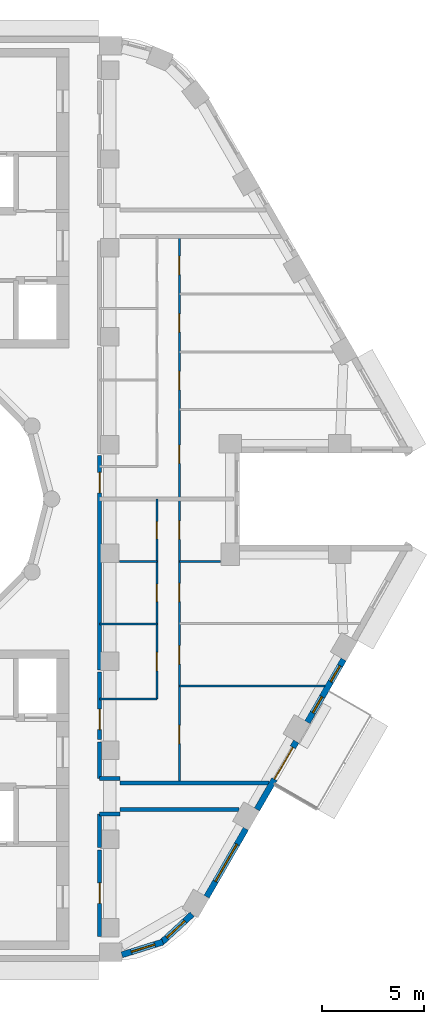
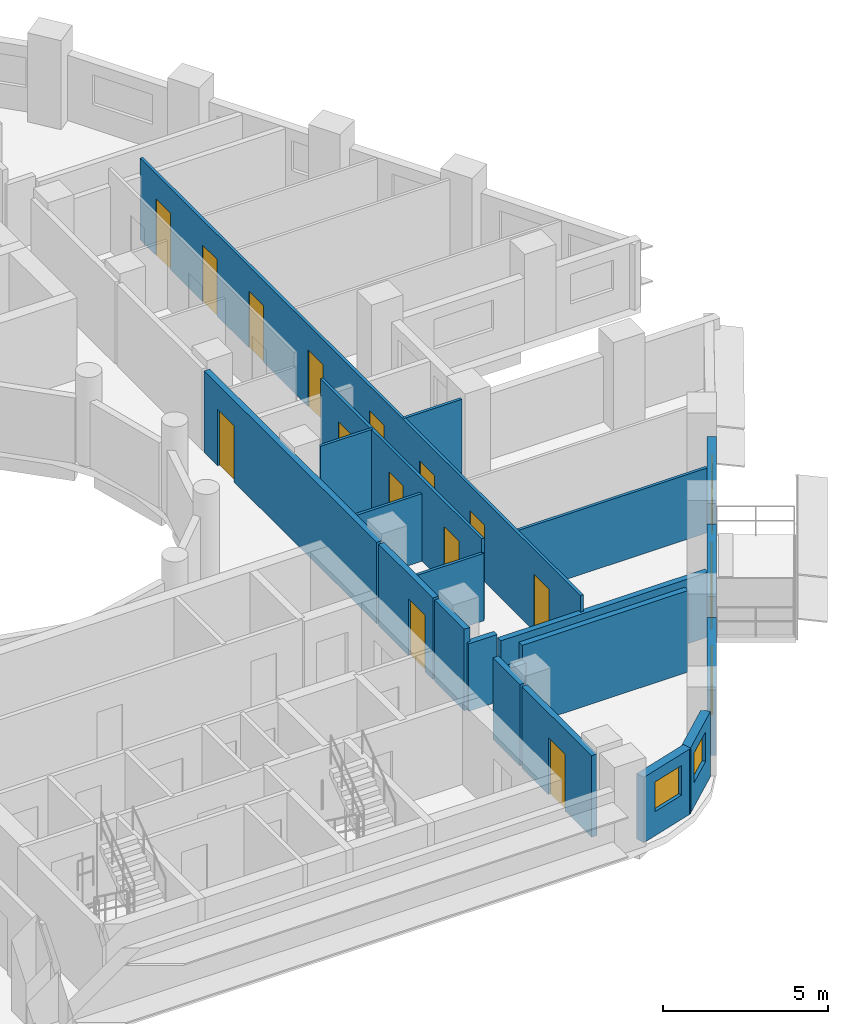
# One storey, part 5 of 12: 21 walls, 15 doors, 5 windows, 20 openings.
"""IFC4 building model written with IfcOpenShell, lengths in metres."""

from ifc_helpers import new_model, si_unit, direction, frame, frame_2d, origin, place, context, subcontext, project, spatial, rectangle, extrude, material, layer, layer_set, type_object, element, fill, save


model = new_model("IFC4")

# Units and contexts
model_context = context("Model", 3, precision=1e-05, world=origin(), true_north=direction((0.0, 1.0)))
body_context = subcontext(model_context, "Body", "Model", "MODEL_VIEW")
ifc_project = project(units=[si_unit("LENGTHUNIT", "METRE"), si_unit("AREAUNIT", "SQUARE_METRE"), si_unit("VOLUMEUNIT", "CUBIC_METRE"), si_unit("PLANEANGLEUNIT", "RADIAN"), si_unit("MASSUNIT", "GRAM", prefix="KILO")], contexts=[model_context])

# Site, building, storey
site_placement = place(None, origin())
site = spatial("IfcSite", under=ifc_project, at=site_placement, CompositionType="ELEMENT")
building_placement = place(site_placement, origin())
building = spatial("IfcBuilding", under=site, at=building_placement, Name="Nakaniwa Court", CompositionType="ELEMENT")
storey_placement = place(building_placement, frame((0.0, 0.0, 229.5)))
storey = spatial("IfcBuildingStorey", under=building, at=storey_placement, Name="L59", CompositionType="ELEMENT", Elevation=229.5)

# Wall, opening, door
ifc_material_1 = material(Name="Acoustic double stud partition")
ifc_layer_1 = layer(ifc_material_1, 0.199951171875)
ifc_layer_set_1 = layer_set([ifc_layer_1], Name="Acoustic double stud partition")
wall_type_1 = type_object("IfcWallType", Name="Acoustic double stud partition 200", PredefinedType="PARTITIONING", material=ifc_layer_set_1)
wall_1_placement = place(storey_placement, frame((89.5, 62.822998046875, 0.0), z_axis=(0.0, 0.0, 1.0), x_axis=(0.0, -1.0, 0.0)))
wall_1 = element("IfcWall", 1, at=wall_1_placement, inside=storey, type_object=wall_type_1, Name="Partition PW-057", PredefinedType="PARTITIONING", context=body_context, shape_type="SweptSolid", body=[
    extrude(rectangle(XDim=4.236083984375, YDim=0.199951171875, at=frame_2d((2.1181640625, 0.0))), origin(), (0.0, 0.0, 1.0), 3.02490234375),
])
opening_1_placement = place(wall_1_placement, frame((1.617919921875, 0.0, 0.0)))
opening_1 = element("IfcOpeningElement", 2, at=opening_1_placement, cuts=wall_1, Name="Opening D-02-01", PredefinedType="OPENING", context=body_context, shape_type="SweptSolid", body=[
    extrude(rectangle(XDim=1.0, YDim=2.10009765625, at=frame_2d((0.5, 1.050048828125))), frame((0.0, 0.10986328125, 0.0), z_axis=(0.0, -1.0, 0.0), x_axis=(1.0, 0.0, 0.0)), (0.0, 0.0, 1.0), 0.219970703125),
])
ifc_material_2 = material(Name="Solid core timber door set, black veneer", Category="wood")
door_type_1 = type_object("IfcDoorType", Name="Internal door 1000", OperationType="NOTDEFINED", PredefinedType="DOOR", material=ifc_material_2)
door_1_placement = place(opening_1_placement, origin())
door_1 = element("IfcDoor", 3, at=door_1_placement, inside=storey, type_object=door_type_1, Name="Door D-02-01 L59-029", OperationType="SINGLE_SWING_RIGHT", OverallHeight=2.10009765625, OverallWidth=1.0, PredefinedType="DOOR", context=body_context, shape_type="SweptSolid", body=[
    extrude(rectangle(XDim=1.0, YDim=2.10009765625, at=frame_2d((0.5, 1.050048828125))), frame((0.0, 0.02490234375, 0.0), z_axis=(0.0, -1.0, 0.0), x_axis=(1.0, 0.0, 0.0)), (0.0, 0.0, 1.0), 0.050048828125),
])
fill(opening_1, door_1)

# Walls
wall_2_placement = place(storey_placement, frame((89.5, 62.93701171875, 0.0), z_axis=(0.0, 0.0, 1.0), x_axis=(0.0, 1.0, 0.0)))
element("IfcWall", 4, at=wall_2_placement, inside=storey, type_object=wall_type_1, Name="Partition PW-058", PredefinedType="PARTITIONING", context=body_context, shape_type="SweptSolid", body=[
    extrude(rectangle(XDim=1.640869140625, YDim=0.199951171875, at=frame_2d((0.8203125, 0.0))), origin(), (0.0, 0.0, 1.0), 3.02490234375),
])
wall_3_placement = place(storey_placement, frame((89.5, 66.322021484375, 0.0), z_axis=(0.0, 0.0, 1.0), x_axis=(0.0, 1.0, 0.0)))
element("IfcWall", 5, at=wall_3_placement, inside=storey, type_object=wall_type_1, Name="Partition PW-059", PredefinedType="PARTITIONING", context=body_context, shape_type="SweptSolid", body=[
    extrude(rectangle(XDim=1.791015625, YDim=0.199951171875, at=frame_2d((0.8955078125, 0.0))), origin(), (0.0, 0.0, 1.0), 3.02490234375),
])

# Wall, opening, door
wall_4_placement = place(storey_placement, frame((89.5, 71.52294921875, 0.0), z_axis=(0.0, 0.0, 1.0), x_axis=(0.0, -1.0, 0.0)))
wall_4 = element("IfcWall", 6, at=wall_4_placement, inside=storey, type_object=wall_type_1, Name="Partition PW-060", PredefinedType="PARTITIONING", context=body_context, shape_type="SweptSolid", body=[
    extrude(rectangle(XDim=3.2958984375, YDim=0.199951171875, at=frame_2d((1.64794921875, 0.0))), origin(), (0.0, 0.0, 1.0), 3.02490234375),
])
opening_2_placement = place(wall_4_placement, frame((1.80810546875, 0.0, 0.0)))
opening_2 = element("IfcOpeningElement", 7, at=opening_2_placement, cuts=wall_4, Name="Opening D-01-01", PredefinedType="OPENING", context=body_context, shape_type="SweptSolid", body=[
    extrude(rectangle(XDim=1.0, YDim=2.10009765625, at=frame_2d((0.5, 1.050048828125))), frame((0.0, 0.10986328125, 0.0), z_axis=(0.0, -1.0, 0.0), x_axis=(1.0, 0.0, 0.0)), (0.0, 0.0, 1.0), 0.219970703125),
])
door_type_2 = type_object("IfcDoorType", Name="Flat entrance door 1000", OperationType="NOTDEFINED", PredefinedType="DOOR", material=ifc_material_2)
door_2_placement = place(opening_2_placement, origin())
door_2 = element("IfcDoor", 8, at=door_2_placement, inside=storey, type_object=door_type_2, Name="Door D-01-01 L59-030", OperationType="SINGLE_SWING_LEFT", OverallHeight=2.10009765625, OverallWidth=1.0, PredefinedType="DOOR", context=body_context, shape_type="SweptSolid", body=[
    extrude(rectangle(XDim=1.0, YDim=2.10009765625, at=frame_2d((0.5, 1.050048828125))), frame((0.0, 0.02490234375, 0.0), z_axis=(0.0, -1.0, 0.0), x_axis=(1.0, 0.0, 0.0)), (0.0, 0.0, 1.0), 0.050048828125),
])
fill(opening_2, door_2)

wall_5_placement = place(storey_placement, frame((89.5, 82.123046875, 0.0), z_axis=(0.0, 0.0, 1.0), x_axis=(0.0, -1.0, 0.0)))
wall_5 = element("IfcWall", 9, at=wall_5_placement, inside=storey, type_object=wall_type_1, Name="Partition PW-061", PredefinedType="PARTITIONING", context=body_context, shape_type="SweptSolid", body=[
    extrude(rectangle(XDim=10.486083984375, YDim=0.199951171875, at=frame_2d((5.2431640625, 0.0))), origin(), (0.0, 0.0, 1.0), 3.02490234375),
])
opening_3_placement = place(wall_5_placement, frame((0.822998046875, 0.0, 0.0)))
opening_3 = element("IfcOpeningElement", 10, at=opening_3_placement, cuts=wall_5, Name="Opening D-01-02", PredefinedType="OPENING", context=body_context, shape_type="SweptSolid", body=[
    extrude(rectangle(XDim=1.0, YDim=2.10009765625, at=frame_2d((0.5, 1.050048828125))), frame((0.0, 0.10986328125, 0.0), z_axis=(0.0, -1.0, 0.0), x_axis=(1.0, 0.0, 0.0)), (0.0, 0.0, 1.0), 0.219970703125),
])
door_3_placement = place(opening_3_placement, origin())
door_3 = element("IfcDoor", 11, at=door_3_placement, inside=storey, type_object=door_type_2, Name="Door D-01-02 L59-038", OperationType="SINGLE_SWING_LEFT", OverallHeight=2.10009765625, OverallWidth=1.0, PredefinedType="DOOR", context=body_context, shape_type="SweptSolid", body=[
    extrude(rectangle(XDim=1.0, YDim=2.10009765625, at=frame_2d((0.5, 1.050048828125))), frame((0.0, 0.02490234375, 0.0), z_axis=(0.0, -1.0, 0.0), x_axis=(1.0, 0.0, 0.0)), (0.0, 0.0, 1.0), 0.050048828125),
])
fill(opening_3, door_3)

# Walls
wall_6_placement = place(storey_placement, frame((90.5, 64.800048828125, 0.0), z_axis=(0.0, 0.0, 1.0), x_axis=(1.0, 0.0, 0.0)))
element("IfcWall", 12, at=wall_6_placement, inside=storey, type_object=wall_type_1, Name="Partition PW-074", PredefinedType="PARTITIONING", context=body_context, shape_type="SweptSolid", body=[
    extrude(rectangle(XDim=5.81884765625, YDim=0.199951171875, at=frame_2d((2.909423828125, 0.0))), origin(), (0.0, 0.0, 1.0), 3.02490234375),
])
for number, where, z_axis, x_axis, name in (
    (13, (89.5, 64.574951171875, 0.0), (0.0, 0.0, 1.0), (1.0, 0.0, 0.0), "Partition PW-076"),
    (14, (89.5, 66.324951171875, 0.0), (0.0, 0.0, 1.0), (1.0, 0.0, 0.0), "Partition PW-078"),
):
    element("IfcWall", number, at=place(storey_placement, frame(where, z_axis=z_axis, x_axis=x_axis)), inside=storey, type_object=wall_type_1, Name=name, PredefinedType="PARTITIONING", context=body_context, shape_type="SweptSolid", body=[
        extrude(rectangle(XDim=1.0, YDim=0.199951171875, at=frame_2d((0.5, 0.0))), origin(), (0.0, 0.0, 1.0), 2.5048828125),
    ])
wall_7_placement = place(storey_placement, frame((90.5, 66.10009765625, 0.0), z_axis=(0.0, 0.0, 1.0), x_axis=(1.0, 0.0, 0.0)))
element("IfcWall", 15, at=wall_7_placement, inside=storey, type_object=wall_type_1, Name="Partition PW-080", PredefinedType="PARTITIONING", context=body_context, shape_type="SweptSolid", body=[
    extrude(rectangle(XDim=7.282470703125, YDim=0.199951171875, at=frame_2d((3.64111328125, 0.0))), origin(), (0.0, 0.0, 1.0), 2.405029296875),
])

# Wall, opening, window
ifc_material_3 = material(Name="Charcoal ceramic cladding")
ifc_layer_2 = layer(ifc_material_3, 0.02, Name="Ceramic cladding")
ifc_material_4 = material(Name="Ventilated air cavity")
ifc_layer_3 = layer(ifc_material_4, 0.04, ventilated=True, Name="Ventilated cavity")
ifc_material_5 = material(Name="Mineral wool insulation")
ifc_layer_4 = layer(ifc_material_5, 0.1, Name="Insulation")
ifc_material_6 = material(Name="Cement bonded sheathing board")
ifc_layer_5 = layer(ifc_material_6, 0.012, Name="Sheathing")
ifc_material_7 = material(Name="Cold-formed galvanised stud frame with mineral wool infill")
ifc_layer_6 = layer(ifc_material_7, 0.1, Name="Stud frame")
ifc_material_8 = material(Name="Fire-rated gypsum plasterboard lining")
ifc_layer_7 = layer(ifc_material_8, 0.028, Name="Lining")
ifc_layer_set_2 = layer_set([ifc_layer_2, ifc_layer_3, ifc_layer_4, ifc_layer_5, ifc_layer_6, ifc_layer_7], Name="Charcoal ceramic faced external wall system")
wall_type_2 = type_object("IfcWallType", Name="Black ceramic faced external wall 300", PredefinedType="SOLIDWALL", material=ifc_layer_set_2)
wall_8_placement = place(storey_placement, frame((90.585693359375, 57.68408203125, 0.0), z_axis=(0.0, 0.0, 1.0), x_axis=(0.954941641926, 0.296793632875, 0.0)))
wall_8 = element("IfcWall", 16, at=wall_8_placement, inside=storey, type_object=wall_type_2, Name="L59 external wall 27", PredefinedType="SOLIDWALL", context=body_context, shape_type="SweptSolid", body=[
    extrude(rectangle(XDim=2.1025390625, YDim=0.300048828125, at=frame_2d((1.05126953125, 0.0))), origin(), (0.0, 0.0, 1.0), 2.425048828125),
])
opening_4_placement = place(wall_8_placement, frame((0.490234375, 0.0, 0.89990234375)))
opening_4 = element("IfcOpeningElement", 17, at=opening_4_placement, cuts=wall_8, Name="Opening W6.25", PredefinedType="OPENING", context=body_context, shape_type="SweptSolid", body=[
    extrude(rectangle(XDim=1.199951171875, YDim=1.10009765625, at=frame_2d((0.60009765625, 0.550048828125))), frame((0.0, 0.159912109375, 0.0), z_axis=(0.0, -1.0, 0.0), x_axis=(1.0, 0.0, 0.0)), (0.0, 0.0, 1.0), 0.320068359375),
])
ifc_material_9 = material(Name="Black anodised aluminium frame with dark low-E laminated double glazing", Category="aluminium")
window_type_1 = type_object("IfcWindowType", Name="Dark glass window 1200x1100 sill 900", PartitioningType="SINGLE_PANEL", PredefinedType="WINDOW", material=ifc_material_9)
window_1_placement = place(opening_4_placement, origin())
window_1 = element("IfcWindow", 18, at=window_1_placement, inside=storey, type_object=window_type_1, Name="L59 habitable room window 27-0", OverallHeight=1.10009765625, OverallWidth=1.199951171875, PartitioningType="SINGLE_PANEL", PredefinedType="WINDOW", context=body_context, shape_type="SweptSolid", body=[
    extrude(rectangle(XDim=1.199951171875, YDim=1.10009765625, at=frame_2d((0.60009765625, 0.550048828125))), frame((0.0, 0.030029296875, 0.0), z_axis=(0.0, -1.0, 0.0), x_axis=(1.0, 0.0, 0.0)), (0.0, 0.0, 1.0), 0.06005859375),
])
fill(opening_4, window_1)

wall_9_placement = place(storey_placement, frame((92.489501953125, 58.247314453125, 0.0), z_axis=(0.0, 0.0, 1.0), x_axis=(0.734830223907, 0.678251090698, 0.0)))
wall_9 = element("IfcWall", 19, at=wall_9_placement, inside=storey, type_object=wall_type_2, Name="L59 external wall 28", PredefinedType="SOLIDWALL", context=body_context, shape_type="SweptSolid", body=[
    extrude(rectangle(XDim=2.09716796875, YDim=0.300048828125, at=frame_2d((1.048583984375, 0.0))), origin(), (0.0, 0.0, 1.0), 2.425048828125),
])
opening_5_placement = place(wall_9_placement, frame((0.409423828125, 0.0, 0.89990234375)))
opening_5 = element("IfcOpeningElement", 20, at=opening_5_placement, cuts=wall_9, Name="Opening W6.26", PredefinedType="OPENING", context=body_context, shape_type="SweptSolid", body=[
    extrude(rectangle(XDim=1.199951171875, YDim=1.10009765625, at=frame_2d((0.60009765625, 0.550048828125))), frame((0.0, 0.159912109375, 0.0), z_axis=(0.0, -1.0, 0.0), x_axis=(1.0, 0.0, 0.0)), (0.0, 0.0, 1.0), 0.320068359375),
])
window_2_placement = place(opening_5_placement, origin())
window_2 = element("IfcWindow", 21, at=window_2_placement, inside=storey, type_object=window_type_1, Name="L59 habitable room window 28-0", OverallHeight=1.10009765625, OverallWidth=1.199951171875, PartitioningType="SINGLE_PANEL", PredefinedType="WINDOW", context=body_context, shape_type="SweptSolid", body=[
    extrude(rectangle(XDim=1.199951171875, YDim=1.10009765625, at=frame_2d((0.60009765625, 0.550048828125))), frame((0.0, 0.030029296875, 0.0), z_axis=(0.0, -1.0, 0.0), x_axis=(1.0, 0.0, 0.0)), (0.0, 0.0, 1.0), 0.06005859375),
])
fill(opening_5, window_2)

wall_10_placement = place(storey_placement, frame((94.73583984375, 60.523193359375, 0.0), z_axis=(0.0, 0.0, 1.0), x_axis=(0.499984490703, 0.866034357896, 0.0)))
wall_10 = element("IfcWall", 22, at=wall_10_placement, inside=storey, type_object=wall_type_2, Name="L59 external wall 29", PredefinedType="SOLIDWALL", context=body_context, shape_type="SweptSolid", body=[
    extrude(rectangle(XDim=3.84423828125, YDim=0.300048828125, at=frame_2d((1.922119140625, 0.0))), origin(), (0.0, 0.0, 1.0), 2.425048828125),
])
opening_6_placement = place(wall_10_placement, frame((0.8720703125, 0.0, 0.89990234375)))
opening_6 = element("IfcOpeningElement", 23, at=opening_6_placement, cuts=wall_10, Name="Opening W7.27", PredefinedType="OPENING", context=body_context, shape_type="SweptSolid", body=[
    extrude(rectangle(XDim=2.10009765625, YDim=1.10009765625, at=frame_2d((1.050048828125, 0.550048828125))), frame((0.0, 0.159912109375, 0.0), z_axis=(0.0, -1.0, 0.0), x_axis=(1.0, 0.0, 0.0)), (0.0, 0.0, 1.0), 0.320068359375),
])
window_type_2 = type_object("IfcWindowType", Name="Dark glass window 2100x1100 sill 900", PartitioningType="SINGLE_PANEL", PredefinedType="WINDOW", material=ifc_material_9)
window_3_placement = place(opening_6_placement, origin())
window_3 = element("IfcWindow", 24, at=window_3_placement, inside=storey, type_object=window_type_2, Name="L59 habitable room window 29-0", OverallHeight=1.10009765625, OverallWidth=2.10009765625, PartitioningType="SINGLE_PANEL", PredefinedType="WINDOW", context=body_context, shape_type="SweptSolid", body=[
    extrude(rectangle(XDim=2.10009765625, YDim=1.10009765625, at=frame_2d((1.050048828125, 0.550048828125))), frame((0.0, 0.030029296875, 0.0), z_axis=(0.0, -1.0, 0.0), x_axis=(1.0, 0.0, 0.0)), (0.0, 0.0, 1.0), 0.06005859375),
])
fill(opening_6, window_3)

# Wall, opening, door
wall_11_placement = place(storey_placement, frame((97.2041015625, 64.798095703125, 0.0), z_axis=(0.0, 0.0, 1.0), x_axis=(0.499984490703, 0.866034357896, 0.0)))
wall_11 = element("IfcWall", 25, at=wall_11_placement, inside=storey, type_object=wall_type_2, Name="L59 external wall 30", PredefinedType="SOLIDWALL", context=body_context, shape_type="SweptSolid", body=[
    extrude(rectangle(XDim=3.84423828125, YDim=0.300048828125, at=frame_2d((1.922119140625, 0.0))), origin(), (0.0, 0.0, 1.0), 2.425048828125),
])
opening_7_placement = place(wall_11_placement, frame((1.712646484375, 0.0, 0.0)))
opening_7 = element("IfcOpeningElement", 26, at=opening_7_placement, cuts=wall_11, Name="Opening XD12.01", PredefinedType="OPENING", context=body_context, shape_type="SweptSolid", body=[
    extrude(rectangle(XDim=1.800048828125, YDim=2.0, at=frame_2d((0.89990234375, 1.0))), frame((0.0, 0.159912109375, 0.0), z_axis=(0.0, -1.0, 0.0), x_axis=(1.0, 0.0, 0.0)), (0.0, 0.0, 1.0), 0.320068359375),
])
ifc_material_10 = material(Name="Black powder-coated aluminium frame with dark laminated glass", Category="aluminium")
door_type_3 = type_object("IfcDoorType", Name="Balcony sliding door 1800x2000", OperationType="SLIDING_TO_LEFT", PredefinedType="DOOR", material=ifc_material_10)
door_4_placement = place(opening_7_placement, origin())
door_4 = element("IfcDoor", 27, at=door_4_placement, inside=storey, type_object=door_type_3, Name="L59 balcony sliding door 01", OperationType="SLIDING_TO_LEFT", OverallHeight=2.0, OverallWidth=1.800048828125, PredefinedType="DOOR", context=body_context, shape_type="SweptSolid", body=[
    extrude(rectangle(XDim=1.800048828125, YDim=2.0, at=frame_2d((0.89990234375, 1.0))), frame((0.0, 0.02490234375, 0.0), z_axis=(0.0, -1.0, 0.0), x_axis=(1.0, 0.0, 0.0)), (0.0, 0.0, 1.0), 0.050048828125),
])
fill(opening_7, door_4)

# Wall, openings, windows
wall_12_placement = place(storey_placement, frame((99.672119140625, 69.072998046875, 0.0), z_axis=(0.0, 0.0, 1.0), x_axis=(0.500010404316, 0.866019396766, 0.0)))
wall_12 = element("IfcWall", 28, at=wall_12_placement, inside=storey, type_object=wall_type_2, Name="L59 external wall 31", PredefinedType="SOLIDWALL", context=body_context, shape_type="SweptSolid", body=[
    extrude(rectangle(XDim=3.54736328125, YDim=0.300048828125, at=frame_2d((1.773681640625, 0.0))), origin(), (0.0, 0.0, 1.0), 2.425048828125),
])
opening_8_placement = place(wall_12_placement, frame((0.53662109375, 0.0, 0.89990234375)))
opening_8 = element("IfcOpeningElement", 29, at=opening_8_placement, cuts=wall_12, Name="Opening W9.28", PredefinedType="OPENING", context=body_context, shape_type="SweptSolid", body=[
    extrude(rectangle(XDim=0.89990234375, YDim=1.10009765625, at=frame_2d((0.449951171875, 0.550048828125))), frame((0.0, 0.159912109375, 0.0), z_axis=(0.0, -1.0, 0.0), x_axis=(1.0, 0.0, 0.0)), (0.0, 0.0, 1.0), 0.320068359375),
])
opening_9_placement = place(wall_12_placement, frame((2.2861328125, 0.0, 0.89990234375)))
opening_9 = element("IfcOpeningElement", 30, at=opening_9_placement, cuts=wall_12, Name="Opening W9.29", PredefinedType="OPENING", context=body_context, shape_type="SweptSolid", body=[
    extrude(rectangle(XDim=0.89990234375, YDim=1.10009765625, at=frame_2d((0.449951171875, 0.550048828125))), frame((0.0, 0.159912109375, 0.0), z_axis=(0.0, -1.0, 0.0), x_axis=(1.0, 0.0, 0.0)), (0.0, 0.0, 1.0), 0.320068359375),
])
window_type_3 = type_object("IfcWindowType", Name="Dark glass window 900x1100 sill 900", PartitioningType="SINGLE_PANEL", PredefinedType="WINDOW", material=ifc_material_9)
window_4_placement = place(opening_8_placement, origin())
window_4 = element("IfcWindow", 31, at=window_4_placement, inside=storey, type_object=window_type_3, Name="L59 living window 31-0", OverallHeight=1.10009765625, OverallWidth=0.89990234375, PartitioningType="SINGLE_PANEL", PredefinedType="WINDOW", context=body_context, shape_type="SweptSolid", body=[
    extrude(rectangle(XDim=0.89990234375, YDim=1.10009765625, at=frame_2d((0.449951171875, 0.550048828125))), frame((0.0, 0.030029296875, 0.0), z_axis=(0.0, -1.0, 0.0), x_axis=(1.0, 0.0, 0.0)), (0.0, 0.0, 1.0), 0.06005859375),
])
fill(opening_8, window_4)
window_5_placement = place(opening_9_placement, origin())
window_5 = element("IfcWindow", 32, at=window_5_placement, inside=storey, type_object=window_type_3, Name="L59 bedroom window 31-1", OverallHeight=1.10009765625, OverallWidth=0.89990234375, PartitioningType="SINGLE_PANEL", PredefinedType="WINDOW", context=body_context, shape_type="SweptSolid", body=[
    extrude(rectangle(XDim=0.89990234375, YDim=1.10009765625, at=frame_2d((0.449951171875, 0.550048828125))), frame((0.0, 0.030029296875, 0.0), z_axis=(0.0, -1.0, 0.0), x_axis=(1.0, 0.0, 0.0)), (0.0, 0.0, 1.0), 0.06005859375),
])
fill(opening_9, window_5)

# Wall
ifc_material_11 = material(Name="Single stud plasterboard partition")
ifc_layer_8 = layer(ifc_material_11, 0.10009765625)
ifc_layer_set_3 = layer_set([ifc_layer_8], Name="Single stud plasterboard partition")
wall_type_3 = type_object("IfcWallType", Name="Single stud plasterboard partition 100", PredefinedType="PARTITIONING", material=ifc_layer_set_3)
wall_13_placement = place(storey_placement, frame((89.5, 73.875, 0.0), z_axis=(0.0, 0.0, 1.0), x_axis=(1.0, 0.0, 0.0)))
element("IfcWall", 33, at=wall_13_placement, inside=storey, type_object=wall_type_3, Name="Partition PW-090", PredefinedType="PARTITIONING", context=body_context, shape_type="SweptSolid", body=[
    extrude(rectangle(XDim=2.800048828125, YDim=0.10009765625, at=frame_2d((1.39990234375, 0.0))), origin(), (0.0, 0.0, 1.0), 2.5048828125),
])

# Wall, openings, doors
wall_14_placement = place(storey_placement, frame((92.300048828125, 70.199951171875, 0.0), z_axis=(0.0, 0.0, 1.0), x_axis=(0.0, 1.0, 0.0)))
wall_14 = element("IfcWall", 34, at=wall_14_placement, inside=storey, type_object=wall_type_3, Name="Partition PW-091", PredefinedType="PARTITIONING", context=body_context, shape_type="SweptSolid", body=[
    extrude(rectangle(XDim=9.800048828125, YDim=0.10009765625, at=frame_2d((4.89990234375, 0.0))), origin(), (0.0, 0.0, 1.0), 3.02490234375),
])
opening_10_placement = place(wall_14_placement, frame((1.387939453125, 0.0, 0.0)))
opening_10 = element("IfcOpeningElement", 35, at=opening_10_placement, cuts=wall_14, Name="Opening D-33-01", PredefinedType="OPENING", context=body_context, shape_type="SweptSolid", body=[
    extrude(rectangle(XDim=0.89990234375, YDim=2.10009765625, at=frame_2d((0.449951171875, 1.050048828125))), frame((0.0, 0.06005859375, 0.0), z_axis=(0.0, -1.0, 0.0), x_axis=(1.0, 0.0, 0.0)), (0.0, 0.0, 1.0), 0.1201171875),
])
opening_11_placement = place(wall_14_placement, frame((4.781005859375, 0.0, 0.0)))
opening_11 = element("IfcOpeningElement", 36, at=opening_11_placement, cuts=wall_14, Name="Opening D-03-01", PredefinedType="OPENING", context=body_context, shape_type="SweptSolid", body=[
    extrude(rectangle(XDim=0.85009765625, YDim=2.10009765625, at=frame_2d((0.425048828125, 1.050048828125))), frame((0.0, 0.06005859375, 0.0), z_axis=(0.0, -1.0, 0.0), x_axis=(1.0, 0.0, 0.0)), (0.0, 0.0, 1.0), 0.1201171875),
])
opening_12_placement = place(wall_14_placement, frame((7.843994140625, 0.0, 0.0)))
opening_12 = element("IfcOpeningElement", 37, at=opening_12_placement, cuts=wall_14, Name="Opening D-03-02", PredefinedType="OPENING", context=body_context, shape_type="SweptSolid", body=[
    extrude(rectangle(XDim=0.85009765625, YDim=2.10009765625, at=frame_2d((0.425048828125, 1.050048828125))), frame((0.0, 0.06005859375, 0.0), z_axis=(0.0, -1.0, 0.0), x_axis=(1.0, 0.0, 0.0)), (0.0, 0.0, 1.0), 0.1201171875),
])
ifc_material_12 = material(Name="Moisture sealed timber door set", Category="wood")
door_type_4 = type_object("IfcDoorType", Name="Bathroom door 850", OperationType="NOTDEFINED", PredefinedType="DOOR", material=ifc_material_12)
door_5_placement = place(opening_11_placement, origin())
door_5 = element("IfcDoor", 38, at=door_5_placement, inside=storey, type_object=door_type_4, Name="Door D-03-01 L59-032", OperationType="SINGLE_SWING_LEFT", OverallHeight=2.10009765625, OverallWidth=0.85009765625, PredefinedType="DOOR", context=body_context, shape_type="SweptSolid", body=[
    extrude(rectangle(XDim=0.85009765625, YDim=2.10009765625, at=frame_2d((0.425048828125, 1.050048828125))), frame((0.0, 0.02490234375, 0.0), z_axis=(0.0, -1.0, 0.0), x_axis=(1.0, 0.0, 0.0)), (0.0, 0.0, 1.0), 0.050048828125),
])
fill(opening_11, door_5)
door_6_placement = place(opening_12_placement, origin())
door_6 = element("IfcDoor", 39, at=door_6_placement, inside=storey, type_object=door_type_4, Name="Door D-03-02 L59-033", OperationType="SINGLE_SWING_RIGHT", OverallHeight=2.10009765625, OverallWidth=0.85009765625, PredefinedType="DOOR", context=body_context, shape_type="SweptSolid", body=[
    extrude(rectangle(XDim=0.85009765625, YDim=2.10009765625, at=frame_2d((0.425048828125, 1.050048828125))), frame((0.0, 0.02490234375, 0.0), z_axis=(0.0, -1.0, 0.0), x_axis=(1.0, 0.0, 0.0)), (0.0, 0.0, 1.0), 0.050048828125),
])
fill(opening_12, door_6)
door_type_5 = type_object("IfcDoorType", Name="Internal door 900", OperationType="NOTDEFINED", PredefinedType="DOOR", material=ifc_material_2)
door_7_placement = place(opening_10_placement, origin())
door_7 = element("IfcDoor", 40, at=door_7_placement, inside=storey, type_object=door_type_5, Name="Door D-33-01 L59-031", OperationType="SINGLE_SWING_RIGHT", OverallHeight=2.10009765625, OverallWidth=0.89990234375, PredefinedType="DOOR", context=body_context, shape_type="SweptSolid", body=[
    extrude(rectangle(XDim=0.89990234375, YDim=2.10009765625, at=frame_2d((0.449951171875, 1.050048828125))), frame((0.0, 0.02490234375, 0.0), z_axis=(0.0, -1.0, 0.0), x_axis=(1.0, 0.0, 0.0)), (0.0, 0.0, 1.0), 0.050048828125),
])
fill(opening_10, door_7)

# Walls
wall_15_placement = place(storey_placement, frame((89.5, 70.199951171875, 0.0), z_axis=(0.0, 0.0, 1.0), x_axis=(1.0, 0.0, 0.0)))
element("IfcWall", 41, at=wall_15_placement, inside=storey, type_object=wall_type_3, Name="Partition PW-093", PredefinedType="PARTITIONING", context=body_context, shape_type="SweptSolid", body=[
    extrude(rectangle(XDim=2.800048828125, YDim=0.10009765625, at=frame_2d((1.39990234375, 0.0))), origin(), (0.0, 0.0, 1.0), 2.5048828125),
])
wall_16_placement = place(storey_placement, frame((90.469970703125, 76.93798828125, 0.0), z_axis=(0.0, 0.0, 1.0), x_axis=(1.0, 0.0, 0.0)))
element("IfcWall", 42, at=wall_16_placement, inside=storey, type_object=wall_type_3, Name="Partition PW-094", PredefinedType="PARTITIONING", context=body_context, shape_type="SweptSolid", body=[
    extrude(rectangle(XDim=1.830078125, YDim=0.10009765625, at=frame_2d((0.9150390625, 0.0))), origin(), (0.0, 0.0, 1.0), 3.02490234375),
])

# Wall, openings, doors
wall_17_placement = place(storey_placement, frame((93.39990234375, 92.85009765625, 0.0), z_axis=(0.0, 0.0, 1.0), x_axis=(0.0, -1.0, 0.0)))
wall_17 = element("IfcWall", 43, at=wall_17_placement, inside=storey, type_object=wall_type_3, Name="Partition PW-096", PredefinedType="PARTITIONING", context=body_context, shape_type="SweptSolid", body=[
    extrude(rectangle(XDim=26.75, YDim=0.10009765625, at=frame_2d((13.375, 0.0))), origin(), (0.0, 0.0, 1.0), 3.02490234375),
])
opening_13_placement = place(wall_17_placement, frame((23.927001953125, 0.0, 0.0)))
opening_13 = element("IfcOpeningElement", 44, at=opening_13_placement, cuts=wall_17, Name="Opening D-33-02", PredefinedType="OPENING", context=body_context, shape_type="SweptSolid", body=[
    extrude(rectangle(XDim=0.89990234375, YDim=2.10009765625, at=frame_2d((0.449951171875, 1.050048828125))), frame((0.0, 0.06005859375, 0.0), z_axis=(0.0, -1.0, 0.0), x_axis=(1.0, 0.0, 0.0)), (0.0, 0.0, 1.0), 0.1201171875),
])
opening_14_placement = place(wall_17_placement, frame((20.028076171875, 0.0, 0.0)))
opening_14 = element("IfcOpeningElement", 45, at=opening_14_placement, cuts=wall_17, Name="Opening D-33-03", PredefinedType="OPENING", context=body_context, shape_type="SweptSolid", body=[
    extrude(rectangle(XDim=0.89990234375, YDim=2.10009765625, at=frame_2d((0.449951171875, 1.050048828125))), frame((0.0, 0.06005859375, 0.0), z_axis=(0.0, -1.0, 0.0), x_axis=(1.0, 0.0, 0.0)), (0.0, 0.0, 1.0), 0.1201171875),
])
opening_15_placement = place(wall_17_placement, frame((16.97705078125, 0.0, 0.0)))
opening_15 = element("IfcOpeningElement", 46, at=opening_15_placement, cuts=wall_17, Name="Opening D-33-04", PredefinedType="OPENING", context=body_context, shape_type="SweptSolid", body=[
    extrude(rectangle(XDim=0.89990234375, YDim=2.10009765625, at=frame_2d((0.449951171875, 1.050048828125))), frame((0.0, 0.06005859375, 0.0), z_axis=(0.0, -1.0, 0.0), x_axis=(1.0, 0.0, 0.0)), (0.0, 0.0, 1.0), 0.1201171875),
])
opening_16_placement = place(wall_17_placement, frame((13.926025390625, 0.0, 0.0)))
opening_16 = element("IfcOpeningElement", 47, at=opening_16_placement, cuts=wall_17, Name="Opening D-33-05", PredefinedType="OPENING", context=body_context, shape_type="SweptSolid", body=[
    extrude(rectangle(XDim=0.89990234375, YDim=2.10009765625, at=frame_2d((0.449951171875, 1.050048828125))), frame((0.0, 0.06005859375, 0.0), z_axis=(0.0, -1.0, 0.0), x_axis=(1.0, 0.0, 0.0)), (0.0, 0.0, 1.0), 0.1201171875),
])
opening_17_placement = place(wall_17_placement, frame((10.2060546875, 0.0, 0.0)))
opening_17 = element("IfcOpeningElement", 48, at=opening_17_placement, cuts=wall_17, Name="Opening D-33-07", PredefinedType="OPENING", context=body_context, shape_type="SweptSolid", body=[
    extrude(rectangle(XDim=0.89990234375, YDim=2.10009765625, at=frame_2d((0.449951171875, 1.050048828125))), frame((0.0, 0.06005859375, 0.0), z_axis=(0.0, -1.0, 0.0), x_axis=(1.0, 0.0, 0.0)), (0.0, 0.0, 1.0), 0.1201171875),
])
opening_18_placement = place(wall_17_placement, frame((6.60205078125, 0.0, 0.0)))
opening_18 = element("IfcOpeningElement", 49, at=opening_18_placement, cuts=wall_17, Name="Opening D-33-08", PredefinedType="OPENING", context=body_context, shape_type="SweptSolid", body=[
    extrude(rectangle(XDim=0.89990234375, YDim=2.10009765625, at=frame_2d((0.449951171875, 1.050048828125))), frame((0.0, 0.06005859375, 0.0), z_axis=(0.0, -1.0, 0.0), x_axis=(1.0, 0.0, 0.0)), (0.0, 0.0, 1.0), 0.1201171875),
])
opening_19_placement = place(wall_17_placement, frame((3.781005859375, 0.0, 0.0)))
opening_19 = element("IfcOpeningElement", 50, at=opening_19_placement, cuts=wall_17, Name="Opening D-33-09", PredefinedType="OPENING", context=body_context, shape_type="SweptSolid", body=[
    extrude(rectangle(XDim=0.89990234375, YDim=2.10009765625, at=frame_2d((0.449951171875, 1.050048828125))), frame((0.0, 0.06005859375, 0.0), z_axis=(0.0, -1.0, 0.0), x_axis=(1.0, 0.0, 0.0)), (0.0, 0.0, 1.0), 0.1201171875),
])
opening_20_placement = place(wall_17_placement, frame((0.9599609375, 0.0, 0.0)))
opening_20 = element("IfcOpeningElement", 51, at=opening_20_placement, cuts=wall_17, Name="Opening D-33-10", PredefinedType="OPENING", context=body_context, shape_type="SweptSolid", body=[
    extrude(rectangle(XDim=0.89990234375, YDim=2.10009765625, at=frame_2d((0.449951171875, 1.050048828125))), frame((0.0, 0.06005859375, 0.0), z_axis=(0.0, -1.0, 0.0), x_axis=(1.0, 0.0, 0.0)), (0.0, 0.0, 1.0), 0.1201171875),
])
door_8_placement = place(opening_13_placement, origin())
door_8 = element("IfcDoor", 52, at=door_8_placement, inside=storey, type_object=door_type_5, Name="Door D-33-02 L59-034", OperationType="SINGLE_SWING_LEFT", OverallHeight=2.10009765625, OverallWidth=0.89990234375, PredefinedType="DOOR", context=body_context, shape_type="SweptSolid", body=[
    extrude(rectangle(XDim=0.89990234375, YDim=2.10009765625, at=frame_2d((0.449951171875, 1.050048828125))), frame((0.0, 0.02490234375, 0.0), z_axis=(0.0, -1.0, 0.0), x_axis=(1.0, 0.0, 0.0)), (0.0, 0.0, 1.0), 0.050048828125),
])
fill(opening_13, door_8)
door_9_placement = place(opening_14_placement, origin())
door_9 = element("IfcDoor", 53, at=door_9_placement, inside=storey, type_object=door_type_5, Name="Door D-33-03 L59-035", OperationType="SINGLE_SWING_RIGHT", OverallHeight=2.10009765625, OverallWidth=0.89990234375, PredefinedType="DOOR", context=body_context, shape_type="SweptSolid", body=[
    extrude(rectangle(XDim=0.89990234375, YDim=2.10009765625, at=frame_2d((0.449951171875, 1.050048828125))), frame((0.0, 0.02490234375, 0.0), z_axis=(0.0, -1.0, 0.0), x_axis=(1.0, 0.0, 0.0)), (0.0, 0.0, 1.0), 0.050048828125),
])
fill(opening_14, door_9)
door_10_placement = place(opening_15_placement, origin())
door_10 = element("IfcDoor", 54, at=door_10_placement, inside=storey, type_object=door_type_5, Name="Door D-33-04 L59-036", OperationType="SINGLE_SWING_LEFT", OverallHeight=2.10009765625, OverallWidth=0.89990234375, PredefinedType="DOOR", context=body_context, shape_type="SweptSolid", body=[
    extrude(rectangle(XDim=0.89990234375, YDim=2.10009765625, at=frame_2d((0.449951171875, 1.050048828125))), frame((0.0, 0.02490234375, 0.0), z_axis=(0.0, -1.0, 0.0), x_axis=(1.0, 0.0, 0.0)), (0.0, 0.0, 1.0), 0.050048828125),
])
fill(opening_15, door_10)
door_11_placement = place(opening_16_placement, origin())
door_11 = element("IfcDoor", 55, at=door_11_placement, inside=storey, type_object=door_type_5, Name="Door D-33-05 L59-037", OperationType="SINGLE_SWING_RIGHT", OverallHeight=2.10009765625, OverallWidth=0.89990234375, PredefinedType="DOOR", context=body_context, shape_type="SweptSolid", body=[
    extrude(rectangle(XDim=0.89990234375, YDim=2.10009765625, at=frame_2d((0.449951171875, 1.050048828125))), frame((0.0, 0.02490234375, 0.0), z_axis=(0.0, -1.0, 0.0), x_axis=(1.0, 0.0, 0.0)), (0.0, 0.0, 1.0), 0.050048828125),
])
fill(opening_16, door_11)
door_12_placement = place(opening_17_placement, origin())
door_12 = element("IfcDoor", 56, at=door_12_placement, inside=storey, type_object=door_type_5, Name="Door D-33-07 L59-042", OperationType="SINGLE_SWING_LEFT", OverallHeight=2.10009765625, OverallWidth=0.89990234375, PredefinedType="DOOR", context=body_context, shape_type="SweptSolid", body=[
    extrude(rectangle(XDim=0.89990234375, YDim=2.10009765625, at=frame_2d((0.449951171875, 1.050048828125))), frame((0.0, 0.02490234375, 0.0), z_axis=(0.0, -1.0, 0.0), x_axis=(1.0, 0.0, 0.0)), (0.0, 0.0, 1.0), 0.050048828125),
])
fill(opening_17, door_12)
door_13_placement = place(opening_18_placement, origin())
door_13 = element("IfcDoor", 57, at=door_13_placement, inside=storey, type_object=door_type_5, Name="Door D-33-08 L59-043", OperationType="SINGLE_SWING_RIGHT", OverallHeight=2.10009765625, OverallWidth=0.89990234375, PredefinedType="DOOR", context=body_context, shape_type="SweptSolid", body=[
    extrude(rectangle(XDim=0.89990234375, YDim=2.10009765625, at=frame_2d((0.449951171875, 1.050048828125))), frame((0.0, 0.02490234375, 0.0), z_axis=(0.0, -1.0, 0.0), x_axis=(1.0, 0.0, 0.0)), (0.0, 0.0, 1.0), 0.050048828125),
])
fill(opening_18, door_13)
door_14_placement = place(opening_19_placement, origin())
door_14 = element("IfcDoor", 58, at=door_14_placement, inside=storey, type_object=door_type_5, Name="Door D-33-09 L59-044", OperationType="SINGLE_SWING_LEFT", OverallHeight=2.10009765625, OverallWidth=0.89990234375, PredefinedType="DOOR", context=body_context, shape_type="SweptSolid", body=[
    extrude(rectangle(XDim=0.89990234375, YDim=2.10009765625, at=frame_2d((0.449951171875, 1.050048828125))), frame((0.0, 0.02490234375, 0.0), z_axis=(0.0, -1.0, 0.0), x_axis=(1.0, 0.0, 0.0)), (0.0, 0.0, 1.0), 0.050048828125),
])
fill(opening_19, door_14)
door_15_placement = place(opening_20_placement, origin())
door_15 = element("IfcDoor", 59, at=door_15_placement, inside=storey, type_object=door_type_5, Name="Door D-33-10 L59-045", OperationType="SINGLE_SWING_RIGHT", OverallHeight=2.10009765625, OverallWidth=0.89990234375, PredefinedType="DOOR", context=body_context, shape_type="SweptSolid", body=[
    extrude(rectangle(XDim=0.89990234375, YDim=2.10009765625, at=frame_2d((0.449951171875, 1.050048828125))), frame((0.0, 0.02490234375, 0.0), z_axis=(0.0, -1.0, 0.0), x_axis=(1.0, 0.0, 0.0)), (0.0, 0.0, 1.0), 0.050048828125),
])
fill(opening_20, door_15)

# Walls
wall_18_placement = place(storey_placement, frame((93.39990234375, 70.845947265625, 0.0), z_axis=(0.0, 0.0, 1.0), x_axis=(1.0, 0.0, 0.0)))
element("IfcWall", 60, at=wall_18_placement, inside=storey, type_object=wall_type_3, Name="Partition PW-097", PredefinedType="PARTITIONING", context=body_context, shape_type="SweptSolid", body=[
    extrude(rectangle(XDim=7.122802734375, YDim=0.10009765625, at=frame_2d((3.5615234375, 0.0))), origin(), (0.0, 0.0, 1.0), 2.405029296875),
])
wall_19_placement = place(storey_placement, frame((93.39990234375, 76.948974609375, 0.0), z_axis=(0.0, 0.0, 1.0), x_axis=(1.0, 0.0, 0.0)))
element("IfcWall", 61, at=wall_19_placement, inside=storey, type_object=wall_type_3, Name="Partition PW-099", PredefinedType="PARTITIONING", context=body_context, shape_type="SweptSolid", body=[
    extrude(rectangle(XDim=2.029541015625, YDim=0.10009765625, at=frame_2d((1.0146484375, 0.0))), origin(), (0.0, 0.0, 1.0), 3.02490234375),
])

save(model, "model.ifc")
